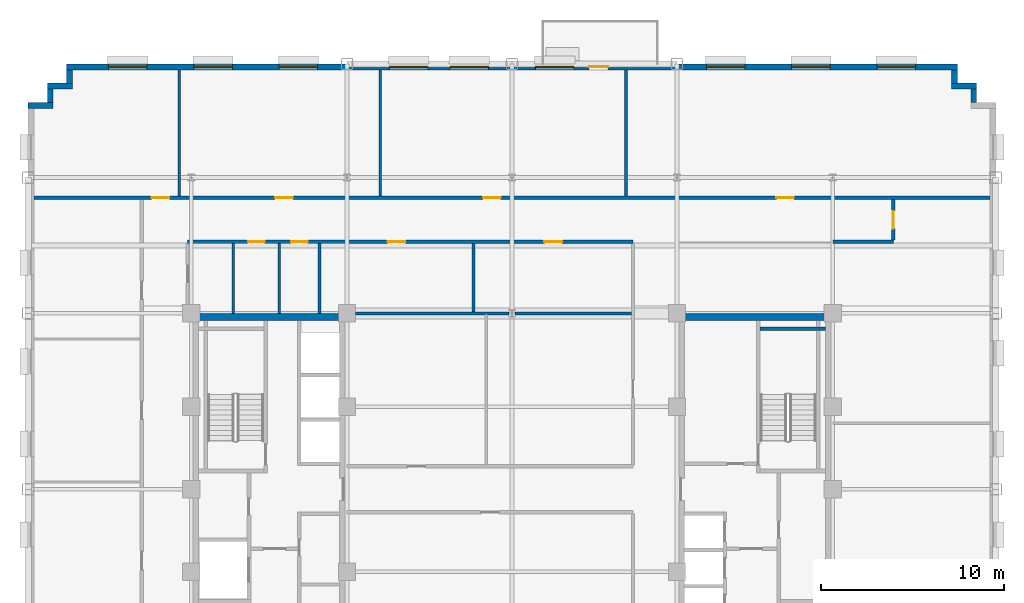
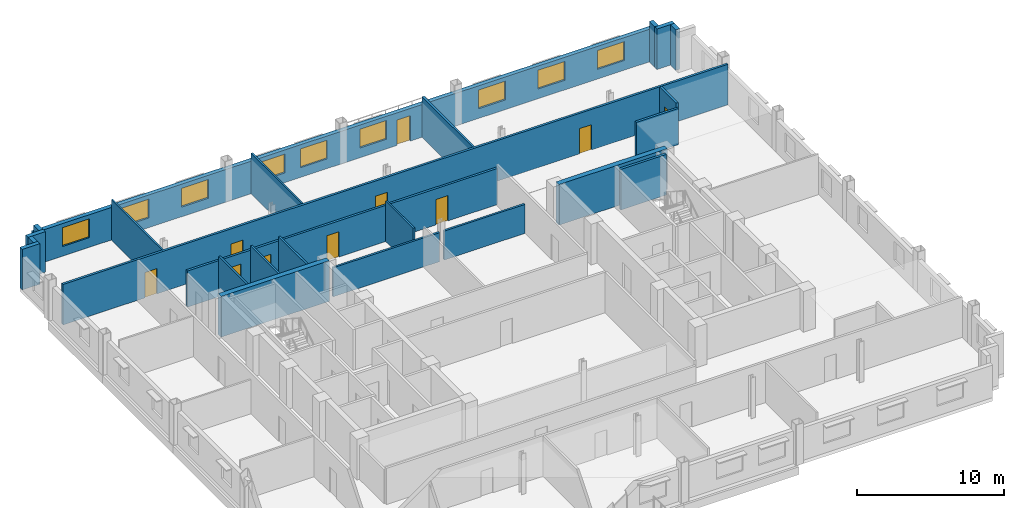
# One storey, part 9 of 14: 24 walls, 10 doors, 9 windows, 19 openings.
"""IFC4 building model written with IfcOpenShell, lengths in metres."""

from ifc_helpers import new_model, si_unit, direction, frame, frame_2d, origin, place, context, subcontext, project, spatial, rectangle, extrude, source, transform, mapped, material, layer, layer_set, type_object, type_shapes, element, fill, save


model = new_model("IFC4")

# Units and contexts
model_context = context("Model", 3, precision=1e-05, world=origin(), true_north=direction((0.0, 1.0)))
body_context = subcontext(model_context, "Body", "Model", "MODEL_VIEW")
ifc_project = project(units=[si_unit("LENGTHUNIT", "METRE"), si_unit("AREAUNIT", "SQUARE_METRE"), si_unit("VOLUMEUNIT", "CUBIC_METRE"), si_unit("PLANEANGLEUNIT", "RADIAN"), si_unit("MASSUNIT", "GRAM", prefix="KILO")], contexts=[model_context])

# Site, building, storey
site_placement = place(None, origin())
site = spatial("IfcSite", under=ifc_project, at=site_placement, CompositionType="ELEMENT")
building_placement = place(site_placement, origin())
building = spatial("IfcBuilding", under=site, at=building_placement, Name="Nuvemarco Arch Tower", CompositionType="ELEMENT")
storey_placement = place(building_placement, frame((0.0, 0.0, 160.35009765625)))
storey = spatial("IfcBuildingStorey", under=building, at=storey_placement, Name="L42", CompositionType="ELEMENT", Elevation=160.35009765625)

# Walls
ifc_material_1 = material(Name="Precast concrete C45/55", Category="concrete")
ifc_layer_1 = layer(ifc_material_1, 0.320068359375, Name="EW-MID-320")
ifc_layer_set_1 = layer_set([ifc_layer_1], Name="Precast concrete C45/55")
wall_type_1 = type_object("IfcWallType", Name="EW-MID-320", PredefinedType="STANDARD", material=ifc_layer_set_1)
wall_1_placement = place(storey_placement, frame((25.18994140625, 21.095947265625, 0.0), z_axis=(0.0, 0.0, 1.0), x_axis=(0.0, 1.0, 0.0)))
element("IfcWall", 1, at=wall_1_placement, inside=storey, type_object=wall_type_1, Name="L42 exterior precast facade wall 8", PredefinedType="STANDARD", context=body_context, shape_type="SweptSolid", body=[
    extrude(rectangle(XDim=0.738037109375, YDim=0.320068359375, at=frame_2d((0.369140625, 0.0))), origin(), (0.0, 0.0, 1.0), 3.35986328125),
])
wall_2_placement = place(storey_placement, frame((23.97998046875, 21.989990234375, 0.0), z_axis=(0.0, 0.0, 1.0), x_axis=(1.0, 0.0, 0.0)))
element("IfcWall", 2, at=wall_2_placement, inside=storey, type_object=wall_type_1, Name="L42 exterior precast facade wall 9", PredefinedType="STANDARD", context=body_context, shape_type="SweptSolid", body=[
    extrude(rectangle(XDim=1.3701171875, YDim=0.320068359375, at=frame_2d((0.68505859375, 0.0))), origin(), (0.0, 0.0, 1.0), 3.35986328125),
])
wall_3_placement = place(storey_placement, frame((24.139892578125, 22.14599609375, 0.0), z_axis=(0.0, 0.0, 1.0), x_axis=(0.0, 1.0, 0.0)))
element("IfcWall", 3, at=wall_3_placement, inside=storey, type_object=wall_type_1, Name="L42 exterior precast facade wall 10", PredefinedType="STANDARD", context=body_context, shape_type="SweptSolid", body=[
    extrude(rectangle(XDim=0.738037109375, YDim=0.320068359375, at=frame_2d((0.369140625, 0.0))), origin(), (0.0, 0.0, 1.0), 3.35986328125),
])

# Wall, openings, door, windows
wall_4_placement = place(storey_placement, frame((-24.300048828125, 23.0400390625, 0.0), z_axis=(0.0, 0.0, 1.0), x_axis=(1.0, 0.0, 0.0)))
wall_4 = element("IfcWall", 4, at=wall_4_placement, inside=storey, type_object=wall_type_1, Name="L42 exterior precast facade wall 11", PredefinedType="STANDARD", context=body_context, shape_type="SweptSolid", body=[
    extrude(rectangle(XDim=48.60009765625, YDim=0.320068359375, at=frame_2d((24.300048828125, 0.0))), origin(), (0.0, 0.0, 1.0), 2.704833984375),
])
opening_1_placement = place(wall_4_placement, frame((28.5, 0.0, 0.0)))
opening_1 = element("IfcOpeningElement", 5, at=opening_1_placement, cuts=wall_4, Name="Opening ED-5", PredefinedType="OPENING", context=body_context, shape_type="SweptSolid", body=[
    extrude(rectangle(XDim=1.050048828125, YDim=2.10009765625, at=frame_2d((0.52490234375, 1.050048828125))), frame((0.0, 0.169921875, 0.0), z_axis=(0.0, -1.0, 0.0), x_axis=(1.0, 0.0, 0.0)), (0.0, 0.0, 1.0), 0.340087890625),
])
opening_2_placement = place(wall_4_placement, frame((2.280029296875, 0.0, 0.800048828125)))
opening_2 = element("IfcOpeningElement", 6, at=opening_2_placement, cuts=wall_4, Name="Opening WN-5", PredefinedType="OPENING", context=body_context, shape_type="SweptSolid", body=[
    extrude(rectangle(XDim=2.10009765625, YDim=1.56005859375, at=frame_2d((1.050048828125, 0.780029296875))), frame((0.0, 0.169921875, 0.0), z_axis=(0.0, -1.0, 0.0), x_axis=(1.0, 0.0, 0.0)), (0.0, 0.0, 1.0), 0.340087890625),
])
opening_3_placement = place(wall_4_placement, frame((6.93994140625, 0.0, 0.800048828125)))
opening_3 = element("IfcOpeningElement", 7, at=opening_3_placement, cuts=wall_4, Name="Opening WN-5", PredefinedType="OPENING", context=body_context, shape_type="SweptSolid", body=[
    extrude(rectangle(XDim=2.10009765625, YDim=1.56005859375, at=frame_2d((1.050048828125, 0.780029296875))), frame((0.0, 0.169921875, 0.0), z_axis=(0.0, -1.0, 0.0), x_axis=(1.0, 0.0, 0.0)), (0.0, 0.0, 1.0), 0.340087890625),
])
opening_4_placement = place(wall_4_placement, frame((11.60009765625, 0.0, 0.800048828125)))
opening_4 = element("IfcOpeningElement", 8, at=opening_4_placement, cuts=wall_4, Name="Opening WN-5", PredefinedType="OPENING", context=body_context, shape_type="SweptSolid", body=[
    extrude(rectangle(XDim=2.10009765625, YDim=1.56005859375, at=frame_2d((1.050048828125, 0.780029296875))), frame((0.0, 0.169921875, 0.0), z_axis=(0.0, -1.0, 0.0), x_axis=(1.0, 0.0, 0.0)), (0.0, 0.0, 1.0), 0.340087890625),
])
opening_5_placement = place(wall_4_placement, frame((17.610107421875, 0.0, 0.800048828125)))
opening_5 = element("IfcOpeningElement", 9, at=opening_5_placement, cuts=wall_4, Name="Opening WN-5", PredefinedType="OPENING", context=body_context, shape_type="SweptSolid", body=[
    extrude(rectangle(XDim=2.10009765625, YDim=1.56005859375, at=frame_2d((1.050048828125, 0.780029296875))), frame((0.0, 0.169921875, 0.0), z_axis=(0.0, -1.0, 0.0), x_axis=(1.0, 0.0, 0.0)), (0.0, 0.0, 1.0), 0.340087890625),
])
opening_6_placement = place(wall_4_placement, frame((20.919921875, 0.0, 0.800048828125)))
opening_6 = element("IfcOpeningElement", 10, at=opening_6_placement, cuts=wall_4, Name="Opening WN-5", PredefinedType="OPENING", context=body_context, shape_type="SweptSolid", body=[
    extrude(rectangle(XDim=2.10009765625, YDim=1.56005859375, at=frame_2d((1.050048828125, 0.780029296875))), frame((0.0, 0.169921875, 0.0), z_axis=(0.0, -1.0, 0.0), x_axis=(1.0, 0.0, 0.0)), (0.0, 0.0, 1.0), 0.340087890625),
])
opening_7_placement = place(wall_4_placement, frame((25.580078125, 0.0, 0.800048828125)))
opening_7 = element("IfcOpeningElement", 11, at=opening_7_placement, cuts=wall_4, Name="Opening WN-5", PredefinedType="OPENING", context=body_context, shape_type="SweptSolid", body=[
    extrude(rectangle(XDim=2.10009765625, YDim=1.56005859375, at=frame_2d((1.050048828125, 0.780029296875))), frame((0.0, 0.169921875, 0.0), z_axis=(0.0, -1.0, 0.0), x_axis=(1.0, 0.0, 0.0)), (0.0, 0.0, 1.0), 0.340087890625),
])
opening_8_placement = place(wall_4_placement, frame((34.89990234375, 0.0, 0.800048828125)))
opening_8 = element("IfcOpeningElement", 12, at=opening_8_placement, cuts=wall_4, Name="Opening WN-5", PredefinedType="OPENING", context=body_context, shape_type="SweptSolid", body=[
    extrude(rectangle(XDim=2.10009765625, YDim=1.56005859375, at=frame_2d((1.050048828125, 0.780029296875))), frame((0.0, 0.169921875, 0.0), z_axis=(0.0, -1.0, 0.0), x_axis=(1.0, 0.0, 0.0)), (0.0, 0.0, 1.0), 0.340087890625),
])
opening_9_placement = place(wall_4_placement, frame((39.56005859375, 0.0, 0.800048828125)))
opening_9 = element("IfcOpeningElement", 13, at=opening_9_placement, cuts=wall_4, Name="Opening WN-5", PredefinedType="OPENING", context=body_context, shape_type="SweptSolid", body=[
    extrude(rectangle(XDim=2.10009765625, YDim=1.56005859375, at=frame_2d((1.050048828125, 0.780029296875))), frame((0.0, 0.169921875, 0.0), z_axis=(0.0, -1.0, 0.0), x_axis=(1.0, 0.0, 0.0)), (0.0, 0.0, 1.0), 0.340087890625),
])
opening_10_placement = place(wall_4_placement, frame((44.219970703125, 0.0, 0.800048828125)))
opening_10 = element("IfcOpeningElement", 14, at=opening_10_placement, cuts=wall_4, Name="Opening WN-5", PredefinedType="OPENING", context=body_context, shape_type="SweptSolid", body=[
    extrude(rectangle(XDim=2.10009765625, YDim=1.56005859375, at=frame_2d((1.050048828125, 0.780029296875))), frame((0.0, 0.169921875, 0.0), z_axis=(0.0, -1.0, 0.0), x_axis=(1.0, 0.0, 0.0)), (0.0, 0.0, 1.0), 0.340087890625),
])
ifc_material_2 = material(Name="Anodised bronze and laminated glass", Category="glass")
door_type_1 = type_object("IfcDoorType", Name="DR-EXT-TERR", OperationType="NOTDEFINED", PredefinedType="DOOR", material=ifc_material_2)
shared_shape_1 = source(origin(), body_context, "Body", "SweptSolid", [
    extrude(rectangle(XDim=1.050048828125, YDim=2.10009765625, at=frame_2d((0.52490234375, 1.050048828125))), frame((0.0, 0.02490234375, 0.0), z_axis=(0.0, -1.0, 0.0), x_axis=(1.0, 0.0, 0.0)), (0.0, 0.0, 1.0), 0.050048828125),
])
type_shapes(door_type_1, [shared_shape_1])
door_1_placement = place(opening_1_placement, origin())
door_1 = element("IfcDoor", 15, at=door_1_placement, inside=storey, type_object=door_type_1, Name="L42 spiral terrace access door", OperationType="SINGLE_SWING_LEFT", OverallHeight=2.10009765625, OverallWidth=1.050048828125, PredefinedType="DOOR", context=body_context, shape_type="MappedRepresentation", body=[
    mapped(shared_shape_1, transform((0.0, 0.0, 0.0), scale=1.0)),
])
fill(opening_1, door_1)
ifc_material_3 = material(Name="Insulated solar-control glass", Category="glass")
window_type = type_object("IfcWindowType", Name="WN-MID-2100x1560", PartitioningType="DOUBLE_PANEL_VERTICAL", PredefinedType="WINDOW", material=ifc_material_3)
shared_shape_2 = source(origin(), body_context, "Body", "SweptSolid", [
    extrude(rectangle(XDim=2.10009765625, YDim=1.56005859375, at=frame_2d((1.050048828125, 0.780029296875))), frame((0.0, 0.030029296875, 0.0), z_axis=(0.0, -1.0, 0.0), x_axis=(1.0, 0.0, 0.0)), (0.0, 0.0, 1.0), 0.06005859375),
])
type_shapes(window_type, [shared_shape_2])
window_1_placement = place(opening_2_placement, origin())
window_1 = element("IfcWindow", 16, at=window_1_placement, inside=storey, type_object=window_type, Name="L42 punched facade window 1", OverallHeight=1.56005859375, OverallWidth=2.10009765625, PartitioningType="SINGLE_PANEL", PredefinedType="WINDOW", context=body_context, shape_type="MappedRepresentation", body=[
    mapped(shared_shape_2, transform((0.0, 0.0, 0.0), scale=1.0)),
])
fill(opening_2, window_1)
window_2_placement = place(opening_3_placement, origin())
window_2 = element("IfcWindow", 17, at=window_2_placement, inside=storey, type_object=window_type, Name="L42 punched facade window 2", OverallHeight=1.56005859375, OverallWidth=2.10009765625, PartitioningType="SINGLE_PANEL", PredefinedType="WINDOW", context=body_context, shape_type="MappedRepresentation", body=[
    mapped(shared_shape_2, transform((0.0, 0.0, 0.0), scale=1.0)),
])
fill(opening_3, window_2)
window_3_placement = place(opening_4_placement, origin())
window_3 = element("IfcWindow", 18, at=window_3_placement, inside=storey, type_object=window_type, Name="L42 punched facade window 3", OverallHeight=1.56005859375, OverallWidth=2.10009765625, PartitioningType="SINGLE_PANEL", PredefinedType="WINDOW", context=body_context, shape_type="MappedRepresentation", body=[
    mapped(shared_shape_2, transform((0.0, 0.0, 0.0), scale=1.0)),
])
fill(opening_4, window_3)
window_4_placement = place(opening_5_placement, origin())
window_4 = element("IfcWindow", 19, at=window_4_placement, inside=storey, type_object=window_type, Name="L42 punched facade window 4", OverallHeight=1.56005859375, OverallWidth=2.10009765625, PartitioningType="SINGLE_PANEL", PredefinedType="WINDOW", context=body_context, shape_type="MappedRepresentation", body=[
    mapped(shared_shape_2, transform((0.0, 0.0, 0.0), scale=1.0)),
])
fill(opening_5, window_4)
window_5_placement = place(opening_6_placement, origin())
window_5 = element("IfcWindow", 20, at=window_5_placement, inside=storey, type_object=window_type, Name="L42 punched facade window 5", OverallHeight=1.56005859375, OverallWidth=2.10009765625, PartitioningType="SINGLE_PANEL", PredefinedType="WINDOW", context=body_context, shape_type="MappedRepresentation", body=[
    mapped(shared_shape_2, transform((0.0, 0.0, 0.0), scale=1.0)),
])
fill(opening_6, window_5)
window_6_placement = place(opening_7_placement, origin())
window_6 = element("IfcWindow", 21, at=window_6_placement, inside=storey, type_object=window_type, Name="L42 punched facade window 6", OverallHeight=1.56005859375, OverallWidth=2.10009765625, PartitioningType="SINGLE_PANEL", PredefinedType="WINDOW", context=body_context, shape_type="MappedRepresentation", body=[
    mapped(shared_shape_2, transform((0.0, 0.0, 0.0), scale=1.0)),
])
fill(opening_7, window_6)
window_7_placement = place(opening_8_placement, origin())
window_7 = element("IfcWindow", 22, at=window_7_placement, inside=storey, type_object=window_type, Name="L42 punched facade window 8", OverallHeight=1.56005859375, OverallWidth=2.10009765625, PartitioningType="SINGLE_PANEL", PredefinedType="WINDOW", context=body_context, shape_type="MappedRepresentation", body=[
    mapped(shared_shape_2, transform((0.0, 0.0, 0.0), scale=1.0)),
])
fill(opening_8, window_7)
window_8_placement = place(opening_9_placement, origin())
window_8 = element("IfcWindow", 23, at=window_8_placement, inside=storey, type_object=window_type, Name="L42 punched facade window 9", OverallHeight=1.56005859375, OverallWidth=2.10009765625, PartitioningType="SINGLE_PANEL", PredefinedType="WINDOW", context=body_context, shape_type="MappedRepresentation", body=[
    mapped(shared_shape_2, transform((0.0, 0.0, 0.0), scale=1.0)),
])
fill(opening_9, window_8)
window_9_placement = place(opening_10_placement, origin())
window_9 = element("IfcWindow", 24, at=window_9_placement, inside=storey, type_object=window_type, Name="L42 punched facade window 10", OverallHeight=1.56005859375, OverallWidth=2.10009765625, PartitioningType="SINGLE_PANEL", PredefinedType="WINDOW", context=body_context, shape_type="MappedRepresentation", body=[
    mapped(shared_shape_2, transform((0.0, 0.0, 0.0), scale=1.0)),
])
fill(opening_10, window_9)

# Walls
wall_5_placement = place(storey_placement, frame((-24.139892578125, 22.14599609375, 0.0), z_axis=(0.0, 0.0, 1.0), x_axis=(0.0, 1.0, 0.0)))
element("IfcWall", 25, at=wall_5_placement, inside=storey, type_object=wall_type_1, Name="L42 exterior precast facade wall 12", PredefinedType="STANDARD", context=body_context, shape_type="SweptSolid", body=[
    extrude(rectangle(XDim=0.738037109375, YDim=0.320068359375, at=frame_2d((0.369140625, 0.0))), origin(), (0.0, 0.0, 1.0), 3.35986328125),
])
wall_6_placement = place(storey_placement, frame((-25.35009765625, 21.989990234375, 0.0), z_axis=(0.0, 0.0, 1.0), x_axis=(1.0, 0.0, 0.0)))
element("IfcWall", 26, at=wall_6_placement, inside=storey, type_object=wall_type_1, Name="L42 exterior precast facade wall 13", PredefinedType="STANDARD", context=body_context, shape_type="SweptSolid", body=[
    extrude(rectangle(XDim=1.3701171875, YDim=0.320068359375, at=frame_2d((0.68505859375, 0.0))), origin(), (0.0, 0.0, 1.0), 3.35986328125),
])
wall_7_placement = place(storey_placement, frame((-25.18994140625, 21.095947265625, 0.0), z_axis=(0.0, 0.0, 1.0), x_axis=(0.0, 1.0, 0.0)))
element("IfcWall", 27, at=wall_7_placement, inside=storey, type_object=wall_type_1, Name="L42 exterior precast facade wall 14", PredefinedType="STANDARD", context=body_context, shape_type="SweptSolid", body=[
    extrude(rectangle(XDim=0.738037109375, YDim=0.320068359375, at=frame_2d((0.369140625, 0.0))), origin(), (0.0, 0.0, 1.0), 3.35986328125),
])
wall_8_placement = place(storey_placement, frame((-26.39990234375, 20.93994140625, 0.0), z_axis=(0.0, 0.0, 1.0), x_axis=(1.0, 0.0, 0.0)))
element("IfcWall", 28, at=wall_8_placement, inside=storey, type_object=wall_type_1, Name="L42 exterior precast facade wall 15", PredefinedType="STANDARD", context=body_context, shape_type="SweptSolid", body=[
    extrude(rectangle(XDim=1.369873046875, YDim=0.320068359375, at=frame_2d((0.68505859375, 0.0))), origin(), (0.0, 0.0, 1.0), 3.35986328125),
])
ifc_material_4 = material(Name="Concrete C60/75", Category="concrete")
ifc_layer_2 = layer(ifc_material_4, 0.39990234375, Name="WL-CORE-400")
ifc_layer_set_2 = layer_set([ifc_layer_2], Name="Concrete C60/75")
wall_type_2 = type_object("IfcWallType", Name="WL-CORE-400", PredefinedType="SHEAR", material=ifc_layer_set_2)
for number, where, z_axis, x_axis, name in (
    (29, (-17.5, 9.39990234375, 0.0), (0.0, 0.0, 1.0), (1.0, 0.0, 0.0), "L42 W-core shear wall N"),
    (30, (9.0, 9.39990234375, 0.0), (0.0, 0.0, 1.0), (1.0, 0.0, 0.0), "L42 E-core shear wall N"),
):
    element("IfcWall", number, at=place(storey_placement, frame(where, z_axis=z_axis, x_axis=x_axis)), inside=storey, type_object=wall_type_2, Name=name, PredefinedType="SHEAR", context=body_context, shape_type="SweptSolid", body=[
        extrude(rectangle(XDim=8.5, YDim=0.39990234375, at=frame_2d((4.25, 0.0))), origin(), (0.0, 0.0, 1.0), 3.369873046875),
    ])

# Wall, openings, doors
ifc_material_5 = material(Name="Fire-rated gypsum drywall partition")
ifc_layer_3 = layer(ifc_material_5, 0.179931640625, Name="WL-CORR-180")
ifc_layer_set_3 = layer_set([ifc_layer_3], Name="Fire-rated gypsum drywall partition")
wall_type_3 = type_object("IfcWallType", Name="WL-CORR-180", PredefinedType="PARTITIONING", material=ifc_layer_set_3)
wall_9_placement = place(storey_placement, frame((-17.699951171875, 13.5, 0.0), z_axis=(0.0, 0.0, 1.0), x_axis=(1.0, 0.0, 0.0)))
wall_9 = element("IfcWall", 31, at=wall_9_placement, inside=storey, type_object=wall_type_3, Name="L42 interior wall IW-L42-014", PredefinedType="PARTITIONING", context=body_context, shape_type="SweptSolid", body=[
    extrude(rectangle(XDim=24.300048828125, YDim=0.179931640625, at=frame_2d((12.14990234375, 0.0))), origin(), (0.0, 0.0, 1.0), 2.997802734375),
])
opening_11_placement = place(wall_9_placement, frame((19.469970703125, 0.0, 0.0)))
opening_11 = element("IfcOpeningElement", 32, at=opening_11_placement, cuts=wall_9, Name="Opening FD-5", PredefinedType="OPENING", context=body_context, shape_type="SweptSolid", body=[
    extrude(rectangle(XDim=0.9599609375, YDim=2.10009765625, at=frame_2d((0.47998046875, 1.050048828125))), frame((0.0, 0.099853515625, 0.0), z_axis=(0.0, -1.0, 0.0), x_axis=(1.0, 0.0, 0.0)), (0.0, 0.0, 1.0), 0.199951171875),
])
opening_12_placement = place(wall_9_placement, frame((10.919921875, 0.0, 0.0)))
opening_12 = element("IfcOpeningElement", 33, at=opening_12_placement, cuts=wall_9, Name="Opening FD-5", PredefinedType="OPENING", context=body_context, shape_type="SweptSolid", body=[
    extrude(rectangle(XDim=0.9599609375, YDim=2.10009765625, at=frame_2d((0.47998046875, 1.050048828125))), frame((0.0, 0.099853515625, 0.0), z_axis=(0.0, -1.0, 0.0), x_axis=(1.0, 0.0, 0.0)), (0.0, 0.0, 1.0), 0.199951171875),
])
opening_13_placement = place(wall_9_placement, frame((3.300048828125, 0.0, 0.0)))
opening_13 = element("IfcOpeningElement", 34, at=opening_13_placement, cuts=wall_9, Name="Opening ID-3", PredefinedType="OPENING", context=body_context, shape_type="SweptSolid", body=[
    extrude(rectangle(XDim=0.89990234375, YDim=2.10009765625, at=frame_2d((0.449951171875, 1.050048828125))), frame((0.0, 0.099853515625, 0.0), z_axis=(0.0, -1.0, 0.0), x_axis=(1.0, 0.0, 0.0)), (0.0, 0.0, 1.0), 0.199951171875),
])
opening_14_placement = place(wall_9_placement, frame((5.64990234375, 0.0, 0.0)))
opening_14 = element("IfcOpeningElement", 35, at=opening_14_placement, cuts=wall_9, Name="Opening ID-3", PredefinedType="OPENING", context=body_context, shape_type="SweptSolid", body=[
    extrude(rectangle(XDim=0.89990234375, YDim=2.10009765625, at=frame_2d((0.449951171875, 1.050048828125))), frame((0.0, 0.099853515625, 0.0), z_axis=(0.0, -1.0, 0.0), x_axis=(1.0, 0.0, 0.0)), (0.0, 0.0, 1.0), 0.199951171875),
])
ifc_material_6 = material(Name="Timber fire door", Category="wood")
door_type_2 = type_object("IfcDoorType", Name="DR-CORR-FD", OperationType="NOTDEFINED", PredefinedType="DOOR", material=ifc_material_6)
shared_shape_3 = source(origin(), body_context, "Body", "SweptSolid", [
    extrude(rectangle(XDim=0.9599609375, YDim=2.10009765625, at=frame_2d((0.47998046875, 1.050048828125))), frame((0.0, 0.02490234375, 0.0), z_axis=(0.0, -1.0, 0.0), x_axis=(1.0, 0.0, 0.0)), (0.0, 0.0, 1.0), 0.050048828125),
])
type_shapes(door_type_2, [shared_shape_3])
door_2_placement = place(opening_11_placement, origin())
door_2 = element("IfcDoor", 36, at=door_2_placement, inside=storey, type_object=door_type_2, Name="L42 door DR-L42-IN_N2", OperationType="SINGLE_SWING_LEFT", OverallHeight=2.10009765625, OverallWidth=0.9599609375, PredefinedType="DOOR", context=body_context, shape_type="MappedRepresentation", body=[
    mapped(shared_shape_3, transform((0.0, 0.0, 0.0), scale=1.0)),
])
fill(opening_11, door_2)
door_3_placement = place(opening_12_placement, origin())
door_3 = element("IfcDoor", 37, at=door_3_placement, inside=storey, type_object=door_type_2, Name="L42 door DR-L42-IN_N1", OperationType="SINGLE_SWING_LEFT", OverallHeight=2.10009765625, OverallWidth=0.9599609375, PredefinedType="DOOR", context=body_context, shape_type="MappedRepresentation", body=[
    mapped(shared_shape_3, transform((0.0, 0.0, 0.0), scale=1.0)),
])
fill(opening_12, door_3)
ifc_material_7 = material(Name="Veneered oak timber fire door", Category="wood")
door_type_3 = type_object("IfcDoorType", Name="DR-WC-ACC", OperationType="NOTDEFINED", PredefinedType="DOOR", material=ifc_material_7)
shared_shape_4 = source(origin(), body_context, "Body", "SweptSolid", [
    extrude(rectangle(XDim=0.89990234375, YDim=2.10009765625, at=frame_2d((0.449951171875, 1.050048828125))), frame((0.0, 0.02490234375, 0.0), z_axis=(0.0, -1.0, 0.0), x_axis=(1.0, 0.0, 0.0)), (0.0, 0.0, 1.0), 0.050048828125),
])
type_shapes(door_type_3, [shared_shape_4])
door_4_placement = place(opening_13_placement, origin())
door_4 = element("IfcDoor", 38, at=door_4_placement, inside=storey, type_object=door_type_3, Name="L42 door DR-L42-WC_F", OperationType="SINGLE_SWING_LEFT", OverallHeight=2.10009765625, OverallWidth=0.89990234375, PredefinedType="DOOR", context=body_context, shape_type="MappedRepresentation", body=[
    mapped(shared_shape_4, transform((0.0, 0.0, 0.0), scale=1.0)),
])
fill(opening_13, door_4)
door_5_placement = place(opening_14_placement, origin())
door_5 = element("IfcDoor", 39, at=door_5_placement, inside=storey, type_object=door_type_3, Name="L42 door DR-L42-WC_ACC", OperationType="SINGLE_SWING_LEFT", OverallHeight=2.10009765625, OverallWidth=0.89990234375, PredefinedType="DOOR", context=body_context, shape_type="MappedRepresentation", body=[
    mapped(shared_shape_4, transform((0.0, 0.0, 0.0), scale=1.0)),
])
fill(opening_14, door_5)

# Wall
wall_10_placement = place(storey_placement, frame((17.5, 13.5, 0.0), z_axis=(0.0, 0.0, 1.0), x_axis=(1.0, 0.0, 0.0)))
element("IfcWall", 40, at=wall_10_placement, inside=storey, type_object=wall_type_3, Name="L42 interior wall IW-L42-015", PredefinedType="PARTITIONING", context=body_context, shape_type="SweptSolid", body=[
    extrude(rectangle(XDim=3.300048828125, YDim=0.179931640625, at=frame_2d((1.64990234375, 0.0))), origin(), (0.0, 0.0, 1.0), 2.997802734375),
])

# Wall, openings, doors
wall_11_placement = place(storey_placement, frame((-26.080078125, 15.89990234375, 0.0), z_axis=(0.0, 0.0, 1.0), x_axis=(1.0, 0.0, 0.0)))
wall_11 = element("IfcWall", 41, at=wall_11_placement, inside=storey, type_object=wall_type_3, Name="L42 interior wall IW-L42-016", PredefinedType="PARTITIONING", context=body_context, shape_type="SweptSolid", body=[
    extrude(rectangle(XDim=52.16015625, YDim=0.179931640625, at=frame_2d((26.080078125, 0.0))), origin(), (0.0, 0.0, 1.0), 3.35986328125),
])
opening_15_placement = place(wall_11_placement, frame((24.5, 0.0, 0.0)))
opening_15 = element("IfcOpeningElement", 42, at=opening_15_placement, cuts=wall_11, Name="Opening FD-5", PredefinedType="OPENING", context=body_context, shape_type="SweptSolid", body=[
    extrude(rectangle(XDim=0.9599609375, YDim=2.10009765625, at=frame_2d((0.47998046875, 1.050048828125))), frame((0.0, 0.099853515625, 0.0), z_axis=(0.0, -1.0, 0.0), x_axis=(1.0, 0.0, 0.0)), (0.0, 0.0, 1.0), 0.199951171875),
])
opening_16_placement = place(wall_11_placement, frame((40.5, 0.0, 0.0)))
opening_16 = element("IfcOpeningElement", 43, at=opening_16_placement, cuts=wall_11, Name="Opening FD-5", PredefinedType="OPENING", context=body_context, shape_type="SweptSolid", body=[
    extrude(rectangle(XDim=0.9599609375, YDim=2.10009765625, at=frame_2d((0.47998046875, 1.050048828125))), frame((0.0, 0.099853515625, 0.0), z_axis=(0.0, -1.0, 0.0), x_axis=(1.0, 0.0, 0.0)), (0.0, 0.0, 1.0), 0.199951171875),
])
opening_17_placement = place(wall_11_placement, frame((13.159912109375, 0.0, 0.0)))
opening_17 = element("IfcOpeningElement", 44, at=opening_17_placement, cuts=wall_11, Name="Opening FD-5", PredefinedType="OPENING", context=body_context, shape_type="SweptSolid", body=[
    extrude(rectangle(XDim=0.9599609375, YDim=2.10009765625, at=frame_2d((0.47998046875, 1.050048828125))), frame((0.0, 0.099853515625, 0.0), z_axis=(0.0, -1.0, 0.0), x_axis=(1.0, 0.0, 0.0)), (0.0, 0.0, 1.0), 0.199951171875),
])
opening_18_placement = place(wall_11_placement, frame((6.425048828125, 0.0, 0.0)))
opening_18 = element("IfcOpeningElement", 45, at=opening_18_placement, cuts=wall_11, Name="Opening FD-5", PredefinedType="OPENING", context=body_context, shape_type="SweptSolid", body=[
    extrude(rectangle(XDim=0.9599609375, YDim=2.10009765625, at=frame_2d((0.47998046875, 1.050048828125))), frame((0.0, 0.099853515625, 0.0), z_axis=(0.0, -1.0, 0.0), x_axis=(1.0, 0.0, 0.0)), (0.0, 0.0, 1.0), 0.199951171875),
])
door_6_placement = place(opening_15_placement, origin())
door_6 = element("IfcDoor", 46, at=door_6_placement, inside=storey, type_object=door_type_2, Name="L42 door DR-L42-N_3", OperationType="SINGLE_SWING_LEFT", OverallHeight=2.10009765625, OverallWidth=0.9599609375, PredefinedType="DOOR", context=body_context, shape_type="MappedRepresentation", body=[
    mapped(shared_shape_3, transform((0.0, 0.0, 0.0), scale=1.0)),
])
fill(opening_15, door_6)
door_7_placement = place(opening_16_placement, origin())
door_7 = element("IfcDoor", 47, at=door_7_placement, inside=storey, type_object=door_type_2, Name="L42 door DR-L42-N_4", OperationType="SINGLE_SWING_RIGHT", OverallHeight=2.10009765625, OverallWidth=0.9599609375, PredefinedType="DOOR", context=body_context, shape_type="MappedRepresentation", body=[
    mapped(shared_shape_3, transform((0.0, 0.0, 0.0), scale=1.0)),
])
fill(opening_16, door_7)
door_8_placement = place(opening_17_placement, origin())
door_8 = element("IfcDoor", 48, at=door_8_placement, inside=storey, type_object=door_type_2, Name="L42 door DR-L42-N_2", OperationType="SINGLE_SWING_LEFT", OverallHeight=2.10009765625, OverallWidth=0.9599609375, PredefinedType="DOOR", context=body_context, shape_type="MappedRepresentation", body=[
    mapped(shared_shape_3, transform((0.0, 0.0, 0.0), scale=1.0)),
])
fill(opening_17, door_8)
door_9_placement = place(opening_18_placement, origin())
door_9 = element("IfcDoor", 49, at=door_9_placement, inside=storey, type_object=door_type_2, Name="L42 door DR-L42-N_1", OperationType="SINGLE_SWING_RIGHT", OverallHeight=2.10009765625, OverallWidth=0.9599609375, PredefinedType="DOOR", context=body_context, shape_type="MappedRepresentation", body=[
    mapped(shared_shape_3, transform((0.0, 0.0, 0.0), scale=1.0)),
])
fill(opening_18, door_9)

# Wall, opening, door
wall_12_placement = place(storey_placement, frame((20.800048828125, 13.5859375, 0.0), z_axis=(0.0, 0.0, 1.0), x_axis=(0.0, 1.0, 0.0)))
wall_12 = element("IfcWall", 50, at=wall_12_placement, inside=storey, type_object=wall_type_3, Name="L42 interior wall IW-L42-035", PredefinedType="PARTITIONING", context=body_context, shape_type="SweptSolid", body=[
    extrude(rectangle(XDim=2.22802734375, YDim=0.179931640625, at=frame_2d((1.114013671875, 0.0))), origin(), (0.0, 0.0, 1.0), 3.35986328125),
])
opening_19_placement = place(wall_12_placement, frame((0.634033203125, 0.0, 0.0)))
opening_19 = element("IfcOpeningElement", 51, at=opening_19_placement, cuts=wall_12, Name="Opening FD-5", PredefinedType="OPENING", context=body_context, shape_type="SweptSolid", body=[
    extrude(rectangle(XDim=0.9599609375, YDim=2.10009765625, at=frame_2d((0.47998046875, 1.050048828125))), frame((0.0, 0.099853515625, 0.0), z_axis=(0.0, -1.0, 0.0), x_axis=(1.0, 0.0, 0.0)), (0.0, 0.0, 1.0), 0.199951171875),
])
door_10_placement = place(opening_19_placement, origin())
door_10 = element("IfcDoor", 52, at=door_10_placement, inside=storey, type_object=door_type_2, Name="L42 door DR-L42-E_2", OperationType="SINGLE_SWING_RIGHT", OverallHeight=2.10009765625, OverallWidth=0.9599609375, PredefinedType="DOOR", context=body_context, shape_type="MappedRepresentation", body=[
    mapped(shared_shape_3, transform((0.0, 0.0, 0.0), scale=1.0)),
])
fill(opening_19, door_10)

# Walls
ifc_material_8 = material(Name="Glazed acoustic office partition")
ifc_layer_4 = layer(ifc_material_8, 0.1298828125, Name="WL-EXEC-130")
ifc_layer_set_4 = layer_set([ifc_layer_4], Name="Glazed acoustic office partition")
wall_type_4 = type_object("IfcWallType", Name="WL-EXEC-130", PredefinedType="PARTITIONING", material=ifc_layer_set_4)
for number, where, z_axis, x_axis, name in (
    (53, (-18.14990234375, 15.986083984375, 0.0), (0.0, 0.0, 1.0), (0.0, 1.0, 0.0), "L42 interior wall IW-L42-018"),
    (54, (-7.179931640625, 15.986083984375, 0.0), (0.0, 0.0, 1.0), (0.0, 1.0, 0.0), "L42 interior wall IW-L42-025"),
):
    element("IfcWall", number, at=place(storey_placement, frame(where, z_axis=z_axis, x_axis=x_axis)), inside=storey, type_object=wall_type_4, Name=name, PredefinedType="PARTITIONING", context=body_context, shape_type="SweptSolid", body=[
        extrude(rectangle(XDim=6.893798828125, YDim=0.1298828125, at=frame_2d((3.44677734375, 0.0))), origin(), (0.0, 0.0, 1.0), 3.35986328125),
    ])
ifc_material_9 = material(Name="Gypsum plasterboard partition")
ifc_layer_5 = layer(ifc_material_9, 0.139892578125, Name="WL-ROOM-140")
ifc_layer_set_5 = layer_set([ifc_layer_5], Name="Gypsum plasterboard partition")
wall_type_5 = type_object("IfcWallType", Name="WL-ROOM-140", PredefinedType="PARTITIONING", material=ifc_layer_set_5)
wall_13_placement = place(storey_placement, frame((-2.10009765625, 9.676025390625, 0.0), z_axis=(0.0, 0.0, 1.0), x_axis=(0.0, 1.0, 0.0)))
element("IfcWall", 55, at=wall_13_placement, inside=storey, type_object=wall_type_5, Name="L42 interior wall IW-L42-027", PredefinedType="PARTITIONING", context=body_context, shape_type="SweptSolid", body=[
    extrude(rectangle(XDim=3.738037109375, YDim=0.139892578125, at=frame_2d((1.869140625, 0.0))), origin(), (0.0, 0.0, 1.0), 3.35986328125),
])
ifc_material_10 = material(Name="Concrete C50/60", Category="concrete")
ifc_layer_6 = layer(ifc_material_10, 0.199951171875, Name="WL-SHAFT-220")
ifc_layer_set_6 = layer_set([ifc_layer_6], Name="Concrete C50/60")
wall_type_6 = type_object("IfcWallType", Name="WL-SHAFT-220", PredefinedType="SHEAR", material=ifc_layer_set_6)
wall_14_placement = place(storey_placement, frame((13.534912109375, 8.75, 0.0), z_axis=(0.0, 0.0, 1.0), x_axis=(1.0, 0.0, 0.0)))
element("IfcWall", 56, at=wall_14_placement, inside=storey, type_object=wall_type_6, Name="L42 structural shaft wall SW-L42-E-ST2N", PredefinedType="SHEAR", context=body_context, shape_type="SweptSolid", body=[
    extrude(rectangle(XDim=3.570068359375, YDim=0.199951171875, at=frame_2d((1.78515625, 0.0))), origin(), (0.0, 0.0, 1.0), 3.369873046875),
])
ifc_material_11 = material(Name="Acoustic gypsum drywall partition")
ifc_layer_7 = layer(ifc_material_11, 0.159912109375, Name="WL-TENANT-160")
ifc_layer_set_7 = layer_set([ifc_layer_7], Name="Acoustic gypsum drywall partition")
wall_type_7 = type_object("IfcWallType", Name="WL-TENANT-160", PredefinedType="PARTITIONING", material=ifc_layer_set_7)
wall_15_placement = place(storey_placement, frame((-8.529052734375, 9.60009765625, 0.0), z_axis=(0.0, 0.0, 1.0), x_axis=(1.0, 0.0, 0.0)))
element("IfcWall", 57, at=wall_15_placement, inside=storey, type_object=wall_type_7, Name="L42 interior wall IW-L42-012", PredefinedType="PARTITIONING", context=body_context, shape_type="SweptSolid", body=[
    extrude(rectangle(XDim=8.35302734375, YDim=0.159912109375, at=frame_2d((4.176513671875, 0.0))), origin(), (0.0, 0.0, 1.0), 2.40478515625),
])
wall_16_placement = place(storey_placement, frame((0.176025390625, 9.60009765625, 0.0), z_axis=(0.0, 0.0, 1.0), x_axis=(1.0, 0.0, 0.0)))
element("IfcWall", 58, at=wall_16_placement, inside=storey, type_object=wall_type_7, Name="L42 interior wall IW-L42-013", PredefinedType="PARTITIONING", context=body_context, shape_type="SweptSolid", body=[
    extrude(rectangle(XDim=6.337890625, YDim=0.159912109375, at=frame_2d((3.1689453125, 0.0))), origin(), (0.0, 0.0, 1.0), 2.40478515625),
])
wall_17_placement = place(storey_placement, frame((6.22998046875, 15.986083984375, 0.0), z_axis=(0.0, 0.0, 1.0), x_axis=(0.0, 1.0, 0.0)))
element("IfcWall", 59, at=wall_17_placement, inside=storey, type_object=wall_type_7, Name="L42 interior wall IW-L42-030", PredefinedType="PARTITIONING", context=body_context, shape_type="SweptSolid", body=[
    extrude(rectangle(XDim=6.893798828125, YDim=0.159912109375, at=frame_2d((3.44677734375, 0.0))), origin(), (0.0, 0.0, 1.0), 3.35986328125),
])
ifc_material_12 = material(Name="Moisture-resistant gypsum partition")
ifc_layer_8 = layer(ifc_material_12, 0.14990234375, Name="WL-WET-150")
ifc_layer_set_8 = layer_set([ifc_layer_8], Name="Moisture-resistant gypsum partition")
wall_type_8 = type_object("IfcWallType", Name="WL-WET-150", PredefinedType="PARTITIONING", material=ifc_layer_set_8)
for number, where, z_axis, x_axis, name in (
    (60, (-15.199951171875, 9.60009765625, 0.0), (0.0, 0.0, 1.0), (0.0, 1.0, 0.0), "L42 interior wall IW-L42-022"),
    (61, (-12.699951171875, 9.60009765625, 0.0), (0.0, 0.0, 1.0), (0.0, 1.0, 0.0), "L42 interior wall IW-L42-023"),
    (62, (-10.5, 9.60009765625, 0.0), (0.0, 0.0, 1.0), (0.0, 1.0, 0.0), "L42 interior wall IW-L42-024"),
):
    element("IfcWall", number, at=place(storey_placement, frame(where, z_axis=z_axis, x_axis=x_axis)), inside=storey, type_object=wall_type_8, Name=name, PredefinedType="PARTITIONING", context=body_context, shape_type="SweptSolid", body=[
        extrude(rectangle(XDim=3.81396484375, YDim=0.14990234375, at=frame_2d((1.906982421875, 0.0))), origin(), (0.0, 0.0, 1.0), 3.35986328125),
    ])

save(model, "model.ifc")
